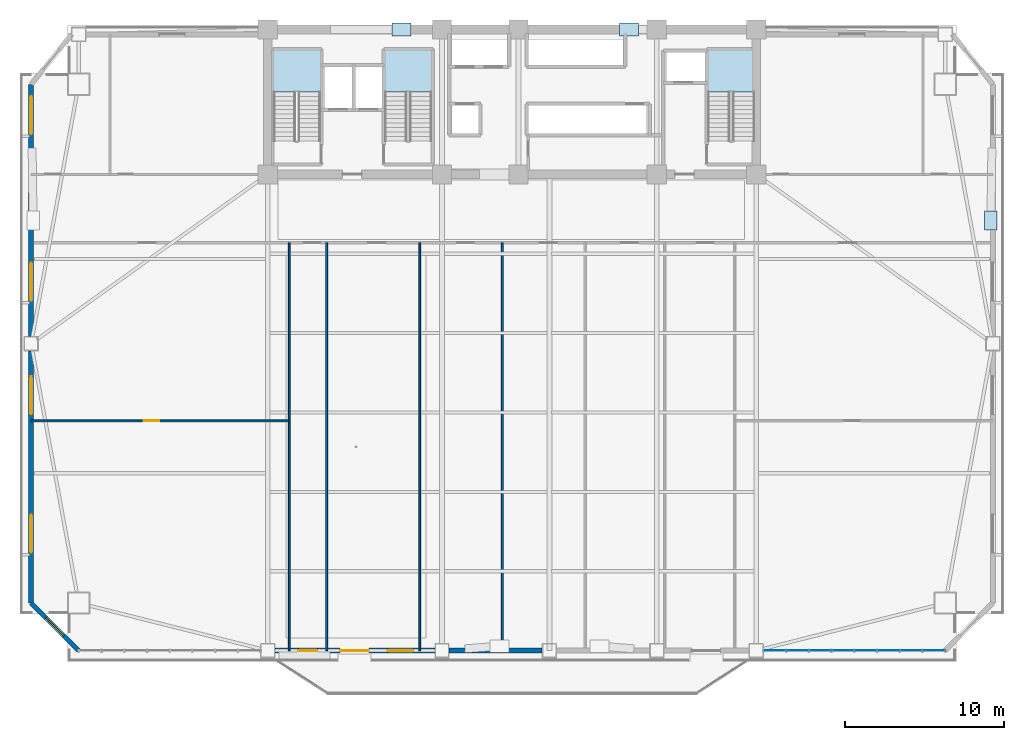
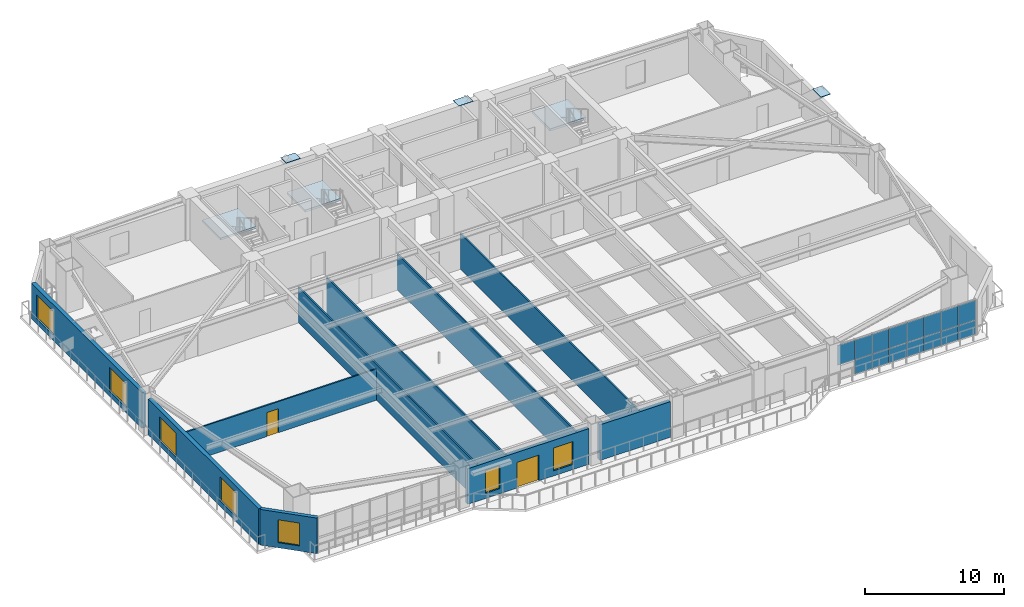
# One storey, part 7 of 15: 18 plates, 10 walls, 7 windows, 3 slabs, 2 doors, 9 openings, 4 elements without a shape of their own.
"""IFC4 building model written with IfcOpenShell, lengths in metres."""

from ifc_helpers import new_model, si_unit, direction, frame, frame_2d, origin, origin_2d, place, context, subcontext, project, spatial, polyline, rectangle, outline, extrude, source, transform, mapped, material, layer, layer_set, type_object, element, fill, aggregate, save


model = new_model("IFC4")

# Units and contexts
model_context = context("Model", 3, precision=1e-05, world=origin(), true_north=direction((0.0, 1.0)))
body_context = subcontext(model_context, "Body", "Model", "MODEL_VIEW")
ifc_project = project(units=[si_unit("LENGTHUNIT", "METRE"), si_unit("AREAUNIT", "SQUARE_METRE"), si_unit("VOLUMEUNIT", "CUBIC_METRE"), si_unit("PLANEANGLEUNIT", "RADIAN"), si_unit("MASSUNIT", "GRAM", prefix="KILO")], contexts=[model_context])

# Site, building, storey
site_placement = place(None, origin())
site = spatial("IfcSite", under=ifc_project, at=site_placement, CompositionType="ELEMENT")
building_placement = place(site_placement, origin())
building = spatial("IfcBuilding", under=site, at=building_placement, Name="Giltprow Tower", CompositionType="ELEMENT")
storey_placement = place(building_placement, frame((0.0, 0.0, 127.0)))
storey = spatial("IfcBuildingStorey", under=building, at=storey_placement, Name="L31", CompositionType="ELEMENT", Elevation=127.0)

# Stair, slab
ifc_material_1 = material(Name="Concrete C40", Category="concrete")
stair_type_1 = type_object("IfcStairType", Name="STR-ST-1", PredefinedType="HALF_TURN_STAIR", material=ifc_material_1)
stair_1_placement = place(storey_placement, origin())
stair_1 = element("IfcStair", 1, at=stair_1_placement, inside=storey, type_object=stair_type_1, Name="L31 Core Exit Stair ST-1", PredefinedType="HALF_TURN_STAIR")
ifc_layer_1 = layer(ifc_material_1, 0.179931640625, Name="Concrete C40")
ifc_layer_set_1 = layer_set([ifc_layer_1], Name="Concrete C40")
slab_type_1 = type_object("IfcSlabType", Name="SLD-ST-1", PredefinedType="LANDING", material=ifc_layer_set_1)
slab_1_placement = place(storey_placement, frame((0.0, 0.0, 1.77001953125)))
slab_1 = element("IfcSlab", 2, at=slab_1_placement, type_object=slab_type_1, Name="ST-1 landing 1", PredefinedType="LANDING", context=body_context, shape_type="SweptSolid", body=[
    extrude(outline(polyline([(23.159912109375, 42.6298828125), (23.159912109375, 45.25), (20.199951171875, 45.25), (20.199951171875, 42.6298828125), (23.159912109375, 42.6298828125)])), origin(), (0.0, 0.0, 1.0), 0.179931640625),
])
aggregate(stair_1, [slab_1])

stair_type_2 = type_object("IfcStairType", Name="STR-ST-2", PredefinedType="HALF_TURN_STAIR", material=ifc_material_1)
stair_2_placement = place(storey_placement, origin())
stair_2 = element("IfcStair", 3, at=stair_2_placement, inside=storey, type_object=stair_type_2, Name="L31 Core Exit Stair ST-2", PredefinedType="HALF_TURN_STAIR")
ifc_layer_2 = layer(ifc_material_1, 0.18798828125, Name="Concrete C40")
ifc_layer_set_2 = layer_set([ifc_layer_2], Name="Concrete C40")
slab_type_2 = type_object("IfcSlabType", Name="SLD-ST-2", PredefinedType="LANDING", material=ifc_layer_set_2)
slab_2_placement = place(storey_placement, frame((0.0, 0.0, 1.761962890625)))
slab_2 = element("IfcSlab", 4, at=slab_2_placement, type_object=slab_type_2, Name="ST-2 landing 1", PredefinedType="LANDING", context=body_context, shape_type="SweptSolid", body=[
    extrude(outline(polyline([(30.159912109375, 42.6298828125), (30.159912109375, 45.25), (27.199951171875, 45.25), (27.199951171875, 42.6298828125), (30.159912109375, 42.6298828125)])), origin(), (0.0, 0.0, 1.0), 0.18798828125),
])
aggregate(stair_2, [slab_2])

stair_type_3 = type_object("IfcStairType", Name="STR-ST-3", PredefinedType="HALF_TURN_STAIR", material=ifc_material_1)
stair_3_placement = place(storey_placement, origin())
stair_3 = element("IfcStair", 5, at=stair_3_placement, inside=storey, type_object=stair_type_3, Name="L31 Core Exit Stair ST-3", PredefinedType="HALF_TURN_STAIR")
ifc_layer_3 = layer(ifc_material_1, 0.196044921875, Name="Concrete C40")
ifc_layer_set_3 = layer_set([ifc_layer_3], Name="Concrete C40")
slab_type_3 = type_object("IfcSlabType", Name="SLD-ST-3", PredefinedType="LANDING", material=ifc_layer_set_3)
slab_3_placement = place(storey_placement, frame((0.0, 0.0, 1.75390625)))
slab_3 = element("IfcSlab", 6, at=slab_3_placement, type_object=slab_type_3, Name="ST-3 landing 1", PredefinedType="LANDING", context=body_context, shape_type="SweptSolid", body=[
    extrude(outline(polyline([(50.4599609375, 42.6298828125), (50.4599609375, 45.25), (47.5, 45.25), (47.5, 42.6298828125), (50.4599609375, 42.6298828125)])), origin(), (0.0, 0.0, 1.0), 0.196044921875),
])
aggregate(stair_3, [slab_3])

# Plates
ifc_material_2 = material(Name="Structural steel Q420GJC", Category="steel")
plate_type_1 = type_object("IfcPlateType", Name="PLT-CAP-SEAL", PredefinedType="USERDEFINED", material=ifc_material_2)
shared_shape_1 = source(origin(), body_context, "Body", "SweptSolid", [
    extrude(rectangle(XDim=1.199951171875, YDim=0.800048828125, at=origin_2d()), origin(), (0.0, 0.0, 1.0), 0.034912109375),
])
for number, where, z_axis, x_axis, name in (
    (7, (28.263916015625, 46.550048828125, 3.74267578125), (0.0, 0.0, 1.0), (1.0, 0.0, 0.0), "Mega-Brace Node L31-N-LB"),
    (8, (42.56298828125, 46.550048828125, 3.74267578125), (0.0, 0.0, 1.0), (1.0, 0.0, 0.0), "Mega-Brace Node L31-N-RB"),
    (9, (65.294921875, 34.541015625, 3.88232421875), (0.0, 0.0, 1.0), (0.0, 1.0, 0.0), "Mega-Brace Node L31-E-RB"),
):
    element("IfcPlate", number, at=place(storey_placement, frame(where, z_axis=z_axis, x_axis=x_axis)), inside=storey, type_object=plate_type_1, Name=name, ObjectType="SPLICE", PredefinedType="USERDEFINED", context=body_context, shape_type="MappedRepresentation", body=[
        mapped(shared_shape_1, transform((0.0, 0.0, 0.0), x_axis=(1.0, 0.0, 0.0), y_axis=(0.0, 1.0, 0.0), z_axis=(0.0, 0.0, 1.0), scale=1.0)),
    ])

# Curtain wall, plates
ifc_material_3 = material(Name="Anodized bronze", Category="metal")
ifc_layer_4 = layer(ifc_material_3, 0.179931640625, Name="Anodized bronze")
ifc_layer_set_4 = layer_set([ifc_layer_4], Name="Anodized bronze")
curtain_wall_type = type_object("IfcCurtainWallType", Name="CW-OFF-RECESSED", PredefinedType="NOTDEFINED", material=ifc_layer_set_4)
curtain_wall_placement = place(storey_placement, origin())
curtain_wall = element("IfcCurtainWall", 10, at=curtain_wall_placement, inside=storey, type_object=curtain_wall_type, Name="L31 South Recessed Curtain Wall 6", PredefinedType="NOTDEFINED")
ifc_material_4 = material(Name="Insulated glass", Category="glass")
plate_type_2 = type_object("IfcPlateType", Name="CW-PANEL-IGU-28", PredefinedType="CURTAIN_PANEL", material=ifc_material_4)
shared_shape_2 = source(origin(), body_context, "Body", "SweptSolid", [
    extrude(rectangle(XDim=1.39892578125, YDim=0.028076171875, at=origin_2d()), origin(), (0.0, 0.0, 1.0), 1.241943359375),
])
plate_1_placement = place(storey_placement, frame((53.14306640625, 7.51806640625, 0.05419921875), z_axis=(0.0, 0.0, 1.0), x_axis=(1.0, 0.0, 0.0)))
plate_1 = element("IfcPlate", 11, at=plate_1_placement, type_object=plate_type_2, Name="L31 South Recessed Curtain Wall 6 Glazing Panel 2-1", PredefinedType="CURTAIN_PANEL", context=body_context, shape_type="MappedRepresentation", body=[
    mapped(shared_shape_2, transform((0.0, 0.0, 0.0), x_axis=(1.0, 0.0, 0.0), y_axis=(0.0, 1.0, 0.0), z_axis=(0.0, 0.0, 1.0), scale=1.0)),
])
plate_2_placement = place(storey_placement, frame((54.572021484375, 7.51806640625, 0.05419921875), z_axis=(0.0, 0.0, 1.0), x_axis=(1.0, 0.0, 0.0)))
plate_2 = element("IfcPlate", 12, at=plate_2_placement, type_object=plate_type_2, Name="L31 South Recessed Curtain Wall 6 Glazing Panel 3-1", PredefinedType="CURTAIN_PANEL", context=body_context, shape_type="MappedRepresentation", body=[
    mapped(shared_shape_2, transform((0.0, 0.0, 0.0), x_axis=(1.0, 0.0, 0.0), y_axis=(0.0, 1.0, 0.0), z_axis=(0.0, 0.0, 1.0), scale=1.0)),
])
plate_3_placement = place(storey_placement, frame((56.0009765625, 7.51806640625, 0.05419921875), z_axis=(0.0, 0.0, 1.0), x_axis=(1.0, 0.0, 0.0)))
plate_3 = element("IfcPlate", 13, at=plate_3_placement, type_object=plate_type_2, Name="L31 South Recessed Curtain Wall 6 Glazing Panel 4-1", PredefinedType="CURTAIN_PANEL", context=body_context, shape_type="MappedRepresentation", body=[
    mapped(shared_shape_2, transform((0.0, 0.0, 0.0), x_axis=(1.0, 0.0, 0.0), y_axis=(0.0, 1.0, 0.0), z_axis=(0.0, 0.0, 1.0), scale=1.0)),
])
plate_4_placement = place(storey_placement, frame((57.428955078125, 7.51806640625, 0.05419921875), z_axis=(0.0, 0.0, 1.0), x_axis=(1.0, 0.0, 0.0)))
plate_4 = element("IfcPlate", 14, at=plate_4_placement, type_object=plate_type_2, Name="L31 South Recessed Curtain Wall 6 Glazing Panel 5-1", PredefinedType="CURTAIN_PANEL", context=body_context, shape_type="MappedRepresentation", body=[
    mapped(shared_shape_2, transform((0.0, 0.0, 0.0), x_axis=(1.0, 0.0, 0.0), y_axis=(0.0, 1.0, 0.0), z_axis=(0.0, 0.0, 1.0), scale=1.0)),
])
plate_5_placement = place(storey_placement, frame((58.85791015625, 7.51806640625, 0.05419921875), z_axis=(0.0, 0.0, 1.0), x_axis=(1.0, 0.0, 0.0)))
plate_5 = element("IfcPlate", 15, at=plate_5_placement, type_object=plate_type_2, Name="L31 South Recessed Curtain Wall 6 Glazing Panel 6-1", PredefinedType="CURTAIN_PANEL", context=body_context, shape_type="MappedRepresentation", body=[
    mapped(shared_shape_2, transform((0.0, 0.0, 0.0), x_axis=(1.0, 0.0, 0.0), y_axis=(0.0, 1.0, 0.0), z_axis=(0.0, 0.0, 1.0), scale=1.0)),
])
plate_6_placement = place(storey_placement, frame((60.287109375, 7.51806640625, 0.05419921875), z_axis=(0.0, 0.0, 1.0), x_axis=(1.0, 0.0, 0.0)))
plate_6 = element("IfcPlate", 16, at=plate_6_placement, type_object=plate_type_2, Name="L31 South Recessed Curtain Wall 6 Glazing Panel 7-1", PredefinedType="CURTAIN_PANEL", context=body_context, shape_type="MappedRepresentation", body=[
    mapped(shared_shape_2, transform((0.0, 0.0, 0.0), x_axis=(1.0, 0.0, 0.0), y_axis=(0.0, 1.0, 0.0), z_axis=(0.0, 0.0, 1.0), scale=1.0)),
])
plate_7_placement = place(storey_placement, frame((61.716064453125, 7.51806640625, 0.05419921875), z_axis=(0.0, 0.0, 1.0), x_axis=(1.0, 0.0, 0.0)))
plate_7 = element("IfcPlate", 17, at=plate_7_placement, type_object=plate_type_2, Name="L31 South Recessed Curtain Wall 6 Glazing Panel 8-1", PredefinedType="CURTAIN_PANEL", context=body_context, shape_type="MappedRepresentation", body=[
    mapped(shared_shape_2, transform((0.0, 0.0, 0.0), x_axis=(1.0, 0.0, 0.0), y_axis=(0.0, 1.0, 0.0), z_axis=(0.0, 0.0, 1.0), scale=1.0)),
])
shared_shape_3 = source(origin(), body_context, "Body", "SweptSolid", [
    extrude(rectangle(XDim=1.39892578125, YDim=0.028076171875, at=origin_2d()), origin(), (0.0, 0.0, 1.0), 1.741943359375),
])
plate_8_placement = place(storey_placement, frame((51.714111328125, 7.51806640625, 1.32421875), z_axis=(0.0, 0.0, 1.0), x_axis=(1.0, 0.0, 0.0)))
plate_8 = element("IfcPlate", 18, at=plate_8_placement, type_object=plate_type_2, Name="L31 South Recessed Curtain Wall 6 Glazing Panel 1-2", PredefinedType="CURTAIN_PANEL", context=body_context, shape_type="MappedRepresentation", body=[
    mapped(shared_shape_3, transform((0.0, 0.0, 0.0), x_axis=(1.0, 0.0, 0.0), y_axis=(0.0, 1.0, 0.0), z_axis=(0.0, 0.0, 1.0), scale=1.0)),
])
plate_9_placement = place(storey_placement, frame((53.14306640625, 7.51806640625, 1.32421875), z_axis=(0.0, 0.0, 1.0), x_axis=(1.0, 0.0, 0.0)))
plate_9 = element("IfcPlate", 19, at=plate_9_placement, type_object=plate_type_2, Name="L31 South Recessed Curtain Wall 6 Glazing Panel 2-2", PredefinedType="CURTAIN_PANEL", context=body_context, shape_type="MappedRepresentation", body=[
    mapped(shared_shape_3, transform((0.0, 0.0, 0.0), x_axis=(1.0, 0.0, 0.0), y_axis=(0.0, 1.0, 0.0), z_axis=(0.0, 0.0, 1.0), scale=1.0)),
])
plate_10_placement = place(storey_placement, frame((54.572021484375, 7.51806640625, 1.32421875), z_axis=(0.0, 0.0, 1.0), x_axis=(1.0, 0.0, 0.0)))
plate_10 = element("IfcPlate", 20, at=plate_10_placement, type_object=plate_type_2, Name="L31 South Recessed Curtain Wall 6 Glazing Panel 3-2", PredefinedType="CURTAIN_PANEL", context=body_context, shape_type="MappedRepresentation", body=[
    mapped(shared_shape_3, transform((0.0, 0.0, 0.0), x_axis=(1.0, 0.0, 0.0), y_axis=(0.0, 1.0, 0.0), z_axis=(0.0, 0.0, 1.0), scale=1.0)),
])
plate_11_placement = place(storey_placement, frame((56.0009765625, 7.51806640625, 1.32421875), z_axis=(0.0, 0.0, 1.0), x_axis=(1.0, 0.0, 0.0)))
plate_11 = element("IfcPlate", 21, at=plate_11_placement, type_object=plate_type_2, Name="L31 South Recessed Curtain Wall 6 Glazing Panel 4-2", PredefinedType="CURTAIN_PANEL", context=body_context, shape_type="MappedRepresentation", body=[
    mapped(shared_shape_3, transform((0.0, 0.0, 0.0), x_axis=(1.0, 0.0, 0.0), y_axis=(0.0, 1.0, 0.0), z_axis=(0.0, 0.0, 1.0), scale=1.0)),
])
plate_12_placement = place(storey_placement, frame((57.428955078125, 7.51806640625, 1.32421875), z_axis=(0.0, 0.0, 1.0), x_axis=(1.0, 0.0, 0.0)))
plate_12 = element("IfcPlate", 22, at=plate_12_placement, type_object=plate_type_2, Name="L31 South Recessed Curtain Wall 6 Glazing Panel 5-2", PredefinedType="CURTAIN_PANEL", context=body_context, shape_type="MappedRepresentation", body=[
    mapped(shared_shape_3, transform((0.0, 0.0, 0.0), x_axis=(1.0, 0.0, 0.0), y_axis=(0.0, 1.0, 0.0), z_axis=(0.0, 0.0, 1.0), scale=1.0)),
])
plate_13_placement = place(storey_placement, frame((58.85791015625, 7.51806640625, 1.32421875), z_axis=(0.0, 0.0, 1.0), x_axis=(1.0, 0.0, 0.0)))
plate_13 = element("IfcPlate", 23, at=plate_13_placement, type_object=plate_type_2, Name="L31 South Recessed Curtain Wall 6 Glazing Panel 6-2", PredefinedType="CURTAIN_PANEL", context=body_context, shape_type="MappedRepresentation", body=[
    mapped(shared_shape_3, transform((0.0, 0.0, 0.0), x_axis=(1.0, 0.0, 0.0), y_axis=(0.0, 1.0, 0.0), z_axis=(0.0, 0.0, 1.0), scale=1.0)),
])
plate_14_placement = place(storey_placement, frame((60.287109375, 7.51806640625, 1.32421875), z_axis=(0.0, 0.0, 1.0), x_axis=(1.0, 0.0, 0.0)))
plate_14 = element("IfcPlate", 24, at=plate_14_placement, type_object=plate_type_2, Name="L31 South Recessed Curtain Wall 6 Glazing Panel 7-2", PredefinedType="CURTAIN_PANEL", context=body_context, shape_type="MappedRepresentation", body=[
    mapped(shared_shape_3, transform((0.0, 0.0, 0.0), x_axis=(1.0, 0.0, 0.0), y_axis=(0.0, 1.0, 0.0), z_axis=(0.0, 0.0, 1.0), scale=1.0)),
])
plate_15_placement = place(storey_placement, frame((61.716064453125, 7.51806640625, 1.32421875), z_axis=(0.0, 0.0, 1.0), x_axis=(1.0, 0.0, 0.0)))
plate_15 = element("IfcPlate", 25, at=plate_15_placement, type_object=plate_type_2, Name="L31 South Recessed Curtain Wall 6 Glazing Panel 8-2", PredefinedType="CURTAIN_PANEL", context=body_context, shape_type="MappedRepresentation", body=[
    mapped(shared_shape_3, transform((0.0, 0.0, 0.0), x_axis=(1.0, 0.0, 0.0), y_axis=(0.0, 1.0, 0.0), z_axis=(0.0, 0.0, 1.0), scale=1.0)),
])
aggregate(curtain_wall, [plate_8, plate_1, plate_9, plate_2, plate_10, plate_3, plate_11, plate_4, plate_12, plate_5, plate_13, plate_6, plate_14, plate_7, plate_15])

# Wall, opening, window
ifc_material_5 = material(Name="Precast concrete C40", Category="concrete")
ifc_layer_5 = layer(ifc_material_5, 0.300048828125, Name="Precast concrete C40")
ifc_layer_set_5 = layer_set([ifc_layer_5], Name="Precast concrete C40")
wall_type_1 = type_object("IfcWallType", Name="EW-NOTCH-CHAMFER-300", PredefinedType="SOLIDWALL", material=ifc_layer_set_5)
wall_1_placement = place(storey_placement, frame((4.97900390625, 10.509033203125, 0.0), z_axis=(0.0, 0.0, 1.0), x_axis=(0.707106781187, -0.707106781187, 0.0)))
wall_1 = element("IfcWall", 26, at=wall_1_placement, inside=storey, type_object=wall_type_1, Name="L31 Corner Notch Wall SW", PredefinedType="SOLIDWALL", context=body_context, shape_type="SweptSolid", body=[
    extrude(rectangle(XDim=4.22998046875, YDim=0.300048828125, at=frame_2d((2.114990234375, 0.0))), origin(), (0.0, 0.0, 1.0), 3.1201171875),
])
opening_1_placement = place(wall_1_placement, frame((1.31494140625, 0.0, 0.449951171875)))
opening_1 = element("IfcOpeningElement", 27, at=opening_1_placement, cuts=wall_1, Name="Opening WN17", PredefinedType="OPENING", context=body_context, shape_type="SweptSolid", body=[
    extrude(rectangle(XDim=1.60009765625, YDim=2.0, at=frame_2d((0.800048828125, 1.0))), frame((0.0, 0.159912109375, 0.0), z_axis=(0.0, -1.0, 0.0), x_axis=(1.0, 0.0, 0.0)), (0.0, 0.0, 1.0), 0.320068359375),
])
window_type_1 = type_object("IfcWindowType", Name="WN-COR-1600x2000", PartitioningType="SINGLE_PANEL", PredefinedType="WINDOW", material=ifc_material_4)
shared_shape_4 = source(origin(), body_context, "Body", "SweptSolid", [
    extrude(rectangle(XDim=1.60009765625, YDim=2.0, at=frame_2d((0.800048828125, 1.0))), frame((0.0, 0.030029296875, 0.0), z_axis=(0.0, -1.0, 0.0), x_axis=(1.0, 0.0, 0.0)), (0.0, 0.0, 1.0), 0.06005859375),
])
window_1_placement = place(opening_1_placement, origin())
window_1 = element("IfcWindow", 28, at=window_1_placement, inside=storey, type_object=window_type_1, Name="L31 Corner Notch Window SW", OverallHeight=2.0, OverallWidth=1.60009765625, PartitioningType="SINGLE_PANEL", PredefinedType="WINDOW", context=body_context, shape_type="MappedRepresentation", body=[
    mapped(shared_shape_4, transform((0.0, 0.0, 0.0), x_axis=(1.0, 0.0, 0.0), y_axis=(0.0, 1.0, 0.0), z_axis=(0.0, 0.0, 1.0), scale=1.0)),
])
fill(opening_1, window_1)

# Wall, openings, windows, door
ifc_layer_6 = layer(ifc_material_5, 0.320068359375, Name="Precast concrete C40")
ifc_layer_set_6 = layer_set([ifc_layer_6], Name="Precast concrete C40")
wall_type_2 = type_object("IfcWallType", Name="EW-TOW-STONE-320", PredefinedType="SOLIDWALL", material=ifc_layer_set_6)
wall_2_placement = place(storey_placement, frame((20.300048828125, 7.51806640625, 0.0), z_axis=(0.0, 0.0, 1.0), x_axis=(1.0, 0.0, 0.0)))
wall_2 = element("IfcWall", 29, at=wall_2_placement, inside=storey, type_object=wall_type_2, Name="L31 South Expressed Frame Wall 2", PredefinedType="SOLIDWALL", context=body_context, shape_type="SweptSolid", body=[
    extrude(rectangle(XDim=10.050048828125, YDim=0.320068359375, at=frame_2d((5.02490234375, 0.0))), origin(), (0.0, 0.0, 1.0), 3.1201171875),
])
opening_2_placement = place(wall_2_placement, frame((4.10009765625, 0.0, 0.0)))
opening_2 = element("IfcOpeningElement", 30, at=opening_2_placement, cuts=wall_2, Name="Opening ED25", PredefinedType="OPENING", context=body_context, shape_type="SweptSolid", body=[
    extrude(rectangle(XDim=1.800048828125, YDim=2.25, at=frame_2d((0.89990234375, 1.125))), frame((0.0, 0.169921875, 0.0), z_axis=(0.0, -1.0, 0.0), x_axis=(1.0, 0.0, 0.0)), (0.0, 0.0, 1.0), 0.340087890625),
])
opening_3_placement = place(wall_2_placement, frame((1.47509765625, 0.0, 0.449951171875)))
opening_3 = element("IfcOpeningElement", 31, at=opening_3_placement, cuts=wall_2, Name="Opening WN11", PredefinedType="OPENING", context=body_context, shape_type="SweptSolid", body=[
    extrude(rectangle(XDim=1.199951171875, YDim=2.0, at=frame_2d((0.60009765625, 1.0))), frame((0.0, 0.169921875, 0.0), z_axis=(0.0, -1.0, 0.0), x_axis=(1.0, 0.0, 0.0)), (0.0, 0.0, 1.0), 0.340087890625),
])
opening_4_placement = place(wall_2_placement, frame((7.10009765625, 0.0, 0.449951171875)))
opening_4 = element("IfcOpeningElement", 32, at=opening_4_placement, cuts=wall_2, Name="Opening WN17", PredefinedType="OPENING", context=body_context, shape_type="SweptSolid", body=[
    extrude(rectangle(XDim=1.60009765625, YDim=2.0, at=frame_2d((0.800048828125, 1.0))), frame((0.0, 0.169921875, 0.0), z_axis=(0.0, -1.0, 0.0), x_axis=(1.0, 0.0, 0.0)), (0.0, 0.0, 1.0), 0.340087890625),
])
window_2_placement = place(opening_4_placement, origin())
window_2 = element("IfcWindow", 33, at=window_2_placement, inside=storey, type_object=window_type_1, Name="L31 South Window 2B", OverallHeight=2.0, OverallWidth=1.60009765625, PartitioningType="SINGLE_PANEL", PredefinedType="WINDOW", context=body_context, shape_type="MappedRepresentation", body=[
    mapped(shared_shape_4, transform((0.0, 0.0, 0.0), x_axis=(1.0, 0.0, 0.0), y_axis=(0.0, 1.0, 0.0), z_axis=(0.0, 0.0, 1.0), scale=1.0)),
])
fill(opening_4, window_2)
ifc_material_6 = material(Name="Anodized bronze and glass", Category="glass")
door_type_1 = type_object("IfcDoorType", Name="DR-BALC-SLIDE-1800", OperationType="SLIDING_TO_LEFT", PredefinedType="DOOR", material=ifc_material_6)
shared_shape_5 = source(origin(), body_context, "Body", "SweptSolid", [
    extrude(rectangle(XDim=1.800048828125, YDim=2.25, at=frame_2d((0.89990234375, 1.125))), frame((0.0, 0.02490234375, 0.0), z_axis=(0.0, -1.0, 0.0), x_axis=(1.0, 0.0, 0.0)), (0.0, 0.0, 1.0), 0.050048828125),
])
door_1_placement = place(opening_2_placement, origin())
door_1 = element("IfcDoor", 34, at=door_1_placement, inside=storey, type_object=door_type_1, Name="L31 Waterfront Balcony Sliding Door 1", OperationType="SLIDING_TO_LEFT", OverallHeight=2.25, OverallWidth=1.800048828125, PredefinedType="DOOR", context=body_context, shape_type="MappedRepresentation", body=[
    mapped(shared_shape_5, transform((0.0, 0.0, 0.0), x_axis=(1.0, 0.0, 0.0), y_axis=(0.0, 1.0, 0.0), z_axis=(0.0, 0.0, 1.0), scale=1.0)),
])
fill(opening_2, door_1)
window_type_2 = type_object("IfcWindowType", Name="WN-LANCET-1200x2000", PartitioningType="SINGLE_PANEL", PredefinedType="WINDOW", material=ifc_material_4)
shared_shape_6 = source(origin(), body_context, "Body", "SweptSolid", [
    extrude(rectangle(XDim=1.199951171875, YDim=2.0, at=frame_2d((0.60009765625, 1.0))), frame((0.0, 0.030029296875, 0.0), z_axis=(0.0, -1.0, 0.0), x_axis=(1.0, 0.0, 0.0)), (0.0, 0.0, 1.0), 0.06005859375),
])
window_3_placement = place(opening_3_placement, origin())
window_3 = element("IfcWindow", 35, at=window_3_placement, inside=storey, type_object=window_type_2, Name="L31 South Window 2A", OverallHeight=2.0, OverallWidth=1.199951171875, PartitioningType="SINGLE_PANEL", PredefinedType="WINDOW", context=body_context, shape_type="MappedRepresentation", body=[
    mapped(shared_shape_6, transform((0.0, 0.0, 0.0), x_axis=(1.0, 0.0, 0.0), y_axis=(0.0, 1.0, 0.0), z_axis=(0.0, 0.0, 1.0), scale=1.0)),
])
fill(opening_3, window_3)

# Wall
wall_3_placement = place(storey_placement, frame((31.25, 7.51806640625, 0.0), z_axis=(0.0, 0.0, 1.0), x_axis=(1.0, 0.0, 0.0)))
element("IfcWall", 36, at=wall_3_placement, inside=storey, type_object=wall_type_2, Name="L31 South Expressed Frame Wall 3", PredefinedType="SOLIDWALL", context=body_context, shape_type="SweptSolid", body=[
    extrude(rectangle(XDim=5.85009765625, YDim=0.320068359375, at=frame_2d((2.925048828125, 0.0))), origin(), (0.0, 0.0, 1.0), 3.1201171875),
])

# Wall, openings, windows
wall_4_placement = place(storey_placement, frame((4.97900390625, 10.509033203125, 0.0), z_axis=(0.0, 0.0, 1.0), x_axis=(0.0, 1.0, 0.0)))
wall_4 = element("IfcWall", 37, at=wall_4_placement, inside=storey, type_object=wall_type_2, Name="L31 W Wing Masonry Wall 1", PredefinedType="SOLIDWALL", context=body_context, shape_type="SweptSolid", body=[
    extrude(rectangle(XDim=15.849853515625, YDim=0.320068359375, at=frame_2d((7.9248046875, 0.0))), origin(), (0.0, 0.0, 1.0), 3.1201171875),
])
opening_5_placement = place(wall_4_placement, frame((3.160888671875, 0.0, 0.449951171875)))
opening_5 = element("IfcOpeningElement", 38, at=opening_5_placement, cuts=wall_4, Name="Opening WN29", PredefinedType="OPENING", context=body_context, shape_type="SweptSolid", body=[
    extrude(rectangle(XDim=2.39990234375, YDim=2.10009765625, at=frame_2d((1.199951171875, 1.050048828125))), frame((0.0, 0.169921875, 0.0), z_axis=(0.0, -1.0, 0.0), x_axis=(1.0, 0.0, 0.0)), (0.0, 0.0, 1.0), 0.340087890625),
])
opening_6_placement = place(wall_4_placement, frame((11.85107421875, 0.0, 0.449951171875)))
opening_6 = element("IfcOpeningElement", 39, at=opening_6_placement, cuts=wall_4, Name="Opening WN29", PredefinedType="OPENING", context=body_context, shape_type="SweptSolid", body=[
    extrude(rectangle(XDim=2.39990234375, YDim=2.10009765625, at=frame_2d((1.199951171875, 1.050048828125))), frame((0.0, 0.169921875, 0.0), z_axis=(0.0, -1.0, 0.0), x_axis=(1.0, 0.0, 0.0)), (0.0, 0.0, 1.0), 0.340087890625),
])
window_type_3 = type_object("IfcWindowType", Name="WN-OFF-2400x2100", PartitioningType="DOUBLE_PANEL_VERTICAL", PredefinedType="WINDOW", material=ifc_material_4)
shared_shape_7 = source(origin(), body_context, "Body", "SweptSolid", [
    extrude(rectangle(XDim=2.39990234375, YDim=2.10009765625, at=frame_2d((1.199951171875, 1.050048828125))), frame((0.0, 0.030029296875, 0.0), z_axis=(0.0, -1.0, 0.0), x_axis=(1.0, 0.0, 0.0)), (0.0, 0.0, 1.0), 0.06005859375),
])
window_4_placement = place(opening_5_placement, origin())
window_4 = element("IfcWindow", 40, at=window_4_placement, inside=storey, type_object=window_type_3, Name="L31 W Wing Window 1-1A", OverallHeight=2.10009765625, OverallWidth=2.39990234375, PartitioningType="SINGLE_PANEL", PredefinedType="WINDOW", context=body_context, shape_type="MappedRepresentation", body=[
    mapped(shared_shape_7, transform((0.0, 0.0, 0.0), x_axis=(1.0, 0.0, 0.0), y_axis=(0.0, 1.0, 0.0), z_axis=(0.0, 0.0, 1.0), scale=1.0)),
])
fill(opening_5, window_4)
window_5_placement = place(opening_6_placement, origin())
window_5 = element("IfcWindow", 41, at=window_5_placement, inside=storey, type_object=window_type_3, Name="L31 W Wing Window 1-1B", OverallHeight=2.10009765625, OverallWidth=2.39990234375, PartitioningType="SINGLE_PANEL", PredefinedType="WINDOW", context=body_context, shape_type="MappedRepresentation", body=[
    mapped(shared_shape_7, transform((0.0, 0.0, 0.0), x_axis=(1.0, 0.0, 0.0), y_axis=(0.0, 1.0, 0.0), z_axis=(0.0, 0.0, 1.0), scale=1.0)),
])
fill(opening_6, window_5)

wall_5_placement = place(storey_placement, frame((4.97900390625, 27.259033203125, 0.0), z_axis=(0.0, 0.0, 1.0), x_axis=(0.0, 1.0, 0.0)))
wall_5 = element("IfcWall", 42, at=wall_5_placement, inside=storey, type_object=wall_type_2, Name="L31 W Wing Masonry Wall 2", PredefinedType="SOLIDWALL", context=body_context, shape_type="SweptSolid", body=[
    extrude(rectangle(XDim=15.849853515625, YDim=0.320068359375, at=frame_2d((7.9248046875, 0.0))), origin(), (0.0, 0.0, 1.0), 3.1201171875),
])
opening_7_placement = place(wall_5_placement, frame((2.240966796875, 0.0, 0.449951171875)))
opening_7 = element("IfcOpeningElement", 43, at=opening_7_placement, cuts=wall_5, Name="Opening WN29", PredefinedType="OPENING", context=body_context, shape_type="SweptSolid", body=[
    extrude(rectangle(XDim=2.39990234375, YDim=2.10009765625, at=frame_2d((1.199951171875, 1.050048828125))), frame((0.0, 0.169921875, 0.0), z_axis=(0.0, -1.0, 0.0), x_axis=(1.0, 0.0, 0.0)), (0.0, 0.0, 1.0), 0.340087890625),
])
opening_8_placement = place(wall_5_placement, frame((12.7080078125, 0.0, 0.449951171875)))
opening_8 = element("IfcOpeningElement", 44, at=opening_8_placement, cuts=wall_5, Name="Opening WN29", PredefinedType="OPENING", context=body_context, shape_type="SweptSolid", body=[
    extrude(rectangle(XDim=2.39990234375, YDim=2.10009765625, at=frame_2d((1.199951171875, 1.050048828125))), frame((0.0, 0.169921875, 0.0), z_axis=(0.0, -1.0, 0.0), x_axis=(1.0, 0.0, 0.0)), (0.0, 0.0, 1.0), 0.340087890625),
])
window_6_placement = place(opening_7_placement, origin())
window_6 = element("IfcWindow", 45, at=window_6_placement, inside=storey, type_object=window_type_3, Name="L31 W Wing Window 2-1", OverallHeight=2.10009765625, OverallWidth=2.39990234375, PartitioningType="SINGLE_PANEL", PredefinedType="WINDOW", context=body_context, shape_type="MappedRepresentation", body=[
    mapped(shared_shape_7, transform((0.0, 0.0, 0.0), x_axis=(1.0, 0.0, 0.0), y_axis=(0.0, 1.0, 0.0), z_axis=(0.0, 0.0, 1.0), scale=1.0)),
])
fill(opening_7, window_6)
window_7_placement = place(opening_8_placement, origin())
window_7 = element("IfcWindow", 46, at=window_7_placement, inside=storey, type_object=window_type_3, Name="L31 W Wing Window 2-2", OverallHeight=2.10009765625, OverallWidth=2.39990234375, PartitioningType="SINGLE_PANEL", PredefinedType="WINDOW", context=body_context, shape_type="MappedRepresentation", body=[
    mapped(shared_shape_7, transform((0.0, 0.0, 0.0), x_axis=(1.0, 0.0, 0.0), y_axis=(0.0, 1.0, 0.0), z_axis=(0.0, 0.0, 1.0), scale=1.0)),
])
fill(opening_8, window_7)

# Wall, opening, door
ifc_material_7 = material(Name="Gypsum stud partition", Category="gypsum")
ifc_layer_7 = layer(ifc_material_7, 0.1201171875, Name="Gypsum stud partition")
ifc_layer_set_7 = layer_set([ifc_layer_7], Name="Gypsum stud partition")
wall_type_3 = type_object("IfcWallType", Name="IW-ROOM-120", PredefinedType="PARTITIONING", material=ifc_layer_set_7)
wall_6_placement = place(storey_placement, frame((4.97900390625, 21.9599609375, 0.0), z_axis=(0.0, 0.0, 1.0), x_axis=(1.0, 0.0, 0.0)))
wall_6 = element("IfcWall", 47, at=wall_6_placement, inside=storey, type_object=wall_type_3, Name="L31 Office Mid Wall 1", PredefinedType="PARTITIONING", context=body_context, shape_type="SweptSolid", body=[
    extrude(rectangle(XDim=16.220947265625, YDim=0.1201171875, at=frame_2d((8.1103515625, 0.0))), origin(), (0.0, 0.0, 1.0), 2.72509765625),
])
opening_9_placement = place(wall_6_placement, frame((7.092041015625, 0.0, 0.0)))
opening_9 = element("IfcOpeningElement", 48, at=opening_9_placement, cuts=wall_6, Name="Opening ID11", PredefinedType="OPENING", context=body_context, shape_type="SweptSolid", body=[
    extrude(rectangle(XDim=0.949951171875, YDim=2.10009765625, at=frame_2d((0.47509765625, 1.050048828125))), frame((0.0, 0.070068359375, 0.0), z_axis=(0.0, -1.0, 0.0), x_axis=(1.0, 0.0, 0.0)), (0.0, 0.0, 1.0), 0.14013671875),
])
ifc_material_8 = material(Name="Engineered timber", Category="wood")
door_type_2 = type_object("IfcDoorType", Name="DR-ROOM-950", OperationType="SINGLE_SWING_RIGHT", PredefinedType="DOOR", material=ifc_material_8)
shared_shape_8 = source(origin(), body_context, "Body", "SweptSolid", [
    extrude(rectangle(XDim=0.949951171875, YDim=2.10009765625, at=frame_2d((0.47509765625, 1.050048828125))), frame((0.0, 0.02490234375, 0.0), z_axis=(0.0, -1.0, 0.0), x_axis=(1.0, 0.0, 0.0)), (0.0, 0.0, 1.0), 0.050048828125),
])
door_2_placement = place(opening_9_placement, origin())
door_2 = element("IfcDoor", 49, at=door_2_placement, inside=storey, type_object=door_type_2, Name="L31 Maritime Gallery Shop 1 Inner Door", OperationType="SINGLE_SWING_LEFT", OverallHeight=2.10009765625, OverallWidth=0.949951171875, PredefinedType="DOOR", context=body_context, shape_type="MappedRepresentation", body=[
    mapped(shared_shape_8, transform((0.0, 0.0, 0.0), x_axis=(1.0, 0.0, 0.0), y_axis=(0.0, 1.0, 0.0), z_axis=(0.0, 0.0, 1.0), scale=1.0)),
])
fill(opening_9, door_2)

# Walls
for number, where, z_axis, x_axis, name in (
    (50, (21.199951171875, 7.51806640625, 0.0), (0.0, 0.0, 1.0), (0.0, 1.0, 0.0), "L31 Office Partition 1"),
    (51, (23.550048828125, 7.51806640625, 0.0), (0.0, 0.0, 1.0), (0.0, 1.0, 0.0), "L31 Office Partition 2"),
    (52, (29.39990234375, 7.51806640625, 0.0), (0.0, 0.0, 1.0), (0.0, 1.0, 0.0), "L31 Office Partition 3"),
    (53, (34.60009765625, 7.51806640625, 0.0), (0.0, 0.0, 1.0), (0.0, 1.0, 0.0), "L31 Office Partition 4"),
):
    element("IfcWall", number, at=place(storey_placement, frame(where, z_axis=z_axis, x_axis=x_axis)), inside=storey, type_object=wall_type_3, Name=name, PredefinedType="PARTITIONING", context=body_context, shape_type="SweptSolid", body=[
        extrude(rectangle(XDim=25.6318359375, YDim=0.1201171875, at=frame_2d((12.81591796875, 0.0))), origin(), (0.0, 0.0, 1.0), 3.125),
    ])

save(model, "model.ifc")
